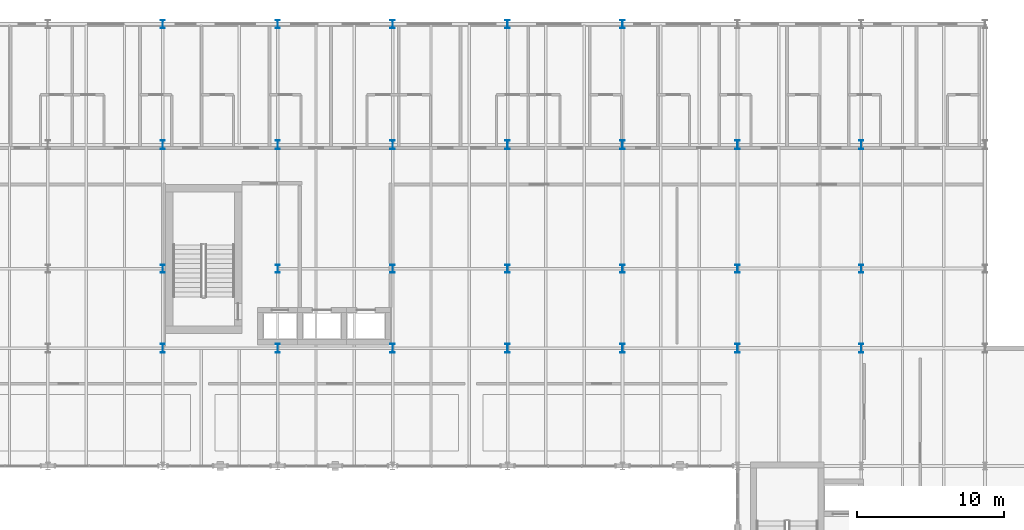
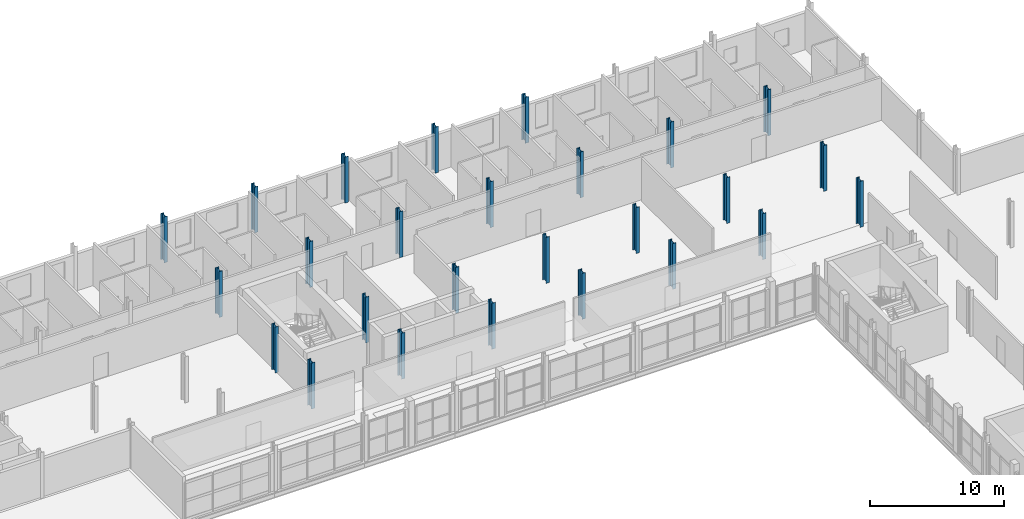
# One storey, part 8 of 58: 26 columns.
"""IFC4 building model written with IfcOpenShell, lengths in metres."""

from ifc_helpers import new_model, si_unit, direction, frame, origin, origin_2d, place, context, subcontext, project, spatial, i_section, extrude, material, material_profile, profile_set, type_object, element, save


model = new_model("IFC4")

# Units and contexts
model_context = context("Model", 3, precision=1e-05, world=origin(), true_north=direction((0.0, 1.0)))
body_context = subcontext(model_context, "Body", "Model", "MODEL_VIEW")
ifc_project = project(units=[si_unit("LENGTHUNIT", "METRE"), si_unit("AREAUNIT", "SQUARE_METRE"), si_unit("VOLUMEUNIT", "CUBIC_METRE"), si_unit("PLANEANGLEUNIT", "RADIAN"), si_unit("MASSUNIT", "GRAM", prefix="KILO")], contexts=[model_context])

# Site, building, storey
site_placement = place(None, origin())
site = spatial("IfcSite", under=ifc_project, at=site_placement, CompositionType="ELEMENT")
building_placement = place(site_placement, origin())
building = spatial("IfcBuilding", under=site, at=building_placement, Name="Sefraquen Railside Congress Hotel", CompositionType="ELEMENT")
storey_placement = place(building_placement, frame((0.0, 0.0, 16.199951171875)))
storey = spatial("IfcBuildingStorey", under=building, at=storey_placement, Name="L03", CompositionType="ELEMENT", Elevation=16.199951171875)

# Columns
ifc_material = material(Name="Steel S355JR", Category="steel")
ifc_material_profile_1 = material_profile(ifc_material, i_section(OverallWidth=0.300048828125, OverallDepth=0.550048828125, WebThickness=0.014892578125, FlangeThickness=0.029052734375, FilletRadius=0.027099609375, at=origin_2d()), Name="HEB 550")
ifc_profile_set_1 = profile_set([ifc_material_profile_1], Name="Steel S355JR")
column_type_1 = type_object("IfcColumnType", Name="TC-HEB-550", PredefinedType="COLUMN", material=ifc_profile_set_1)
for number, where, z_axis, x_axis, name in (
    (1, (64.199951171875, 101.39990234375, 0.0), (0.0, 0.0, 1.0), (1.0, 0.0, 0.0), "Structural column 9-N L03"),
    (2, (64.199951171875, 118.0, 0.0), (0.0, 0.0, 1.0), (1.0, 0.0, 0.0), "Structural column 9-Q L03"),
    (3, (72.0, 101.39990234375, 0.0), (0.0, 0.0, 1.0), (1.0, 0.0, 0.0), "Structural column 10-N L03"),
    (4, (72.0, 118.0, 0.0), (0.0, 0.0, 1.0), (1.0, 0.0, 0.0), "Structural column 10-Q L03"),
    (5, (79.800048828125, 101.39990234375, 0.0), (0.0, 0.0, 1.0), (1.0, 0.0, 0.0), "Structural column 11-N L03"),
    (6, (79.800048828125, 118.0, 0.0), (0.0, 0.0, 1.0), (1.0, 0.0, 0.0), "Structural column 11-Q L03"),
    (7, (87.60009765625, 101.39990234375, 0.0), (0.0, 0.0, 1.0), (1.0, 0.0, 0.0), "Structural column 12-N L03"),
    (8, (87.60009765625, 118.0, 0.0), (0.0, 0.0, 1.0), (1.0, 0.0, 0.0), "Structural column 12-Q L03"),
    (9, (95.39990234375, 101.39990234375, 0.0), (0.0, 0.0, 1.0), (1.0, 0.0, 0.0), "Structural column 13-N L03"),
    (10, (95.39990234375, 118.0, 0.0), (0.0, 0.0, 1.0), (1.0, 0.0, 0.0), "Structural column 13-Q L03"),
    (11, (103.199951171875, 101.39990234375, 0.0), (0.0, 0.0, 1.0), (1.0, 0.0, 0.0), "Structural column 14-N L03"),
    (12, (111.60009765625, 101.39990234375, 0.0), (0.0, 0.0, 1.0), (1.0, 0.0, 0.0), "Structural column 15-N L03"),
):
    element("IfcColumn", number, at=place(storey_placement, frame(where, z_axis=z_axis, x_axis=x_axis)), inside=storey, type_object=column_type_1, Name=name, PredefinedType="COLUMN", context=body_context, shape_type="SweptSolid", body=[
        extrude(i_section(OverallWidth=0.300048828125, OverallDepth=0.550048828125, WebThickness=0.014892578125, FlangeThickness=0.029052734375, FilletRadius=0.027099609375, at=origin_2d()), origin(), (0.0, 0.0, 1.0), 4.199951171875),
    ])
ifc_material_profile_2 = material_profile(ifc_material, i_section(OverallWidth=0.300048828125, OverallDepth=0.60009765625, WebThickness=0.015380859375, FlangeThickness=0.030029296875, FilletRadius=0.027099609375, at=origin_2d()), Name="HEB 600")
ifc_profile_set_2 = profile_set([ifc_material_profile_2], Name="Steel S355JR")
column_type_2 = type_object("IfcColumnType", Name="TC-HEB-600", PredefinedType="COLUMN", material=ifc_profile_set_2)
for number, where, z_axis, x_axis, name in (
    (13, (64.199951171875, 96.0, 0.0), (0.0, 0.0, 1.0), (1.0, 0.0, 0.0), "Structural column 9-M L03"),
    (14, (64.199951171875, 109.800048828125, 0.0), (0.0, 0.0, 1.0), (1.0, 0.0, 0.0), "Structural column 9-P L03"),
    (15, (72.0, 96.0, 0.0), (0.0, 0.0, 1.0), (1.0, 0.0, 0.0), "Structural column 10-M L03"),
    (16, (72.0, 109.800048828125, 0.0), (0.0, 0.0, 1.0), (1.0, 0.0, 0.0), "Structural column 10-P L03"),
    (17, (79.800048828125, 96.0, 0.0), (0.0, 0.0, 1.0), (1.0, 0.0, 0.0), "Structural column 11-M L03"),
    (18, (79.800048828125, 109.800048828125, 0.0), (0.0, 0.0, 1.0), (1.0, 0.0, 0.0), "Structural column 11-P L03"),
    (19, (87.60009765625, 96.0, 0.0), (0.0, 0.0, 1.0), (1.0, 0.0, 0.0), "Structural column 12-M L03"),
    (20, (87.60009765625, 109.800048828125, 0.0), (0.0, 0.0, 1.0), (1.0, 0.0, 0.0), "Structural column 12-P L03"),
    (21, (95.39990234375, 96.0, 0.0), (0.0, 0.0, 1.0), (1.0, 0.0, 0.0), "Structural column 13-M L03"),
    (22, (95.39990234375, 109.800048828125, 0.0), (0.0, 0.0, 1.0), (1.0, 0.0, 0.0), "Structural column 13-P L03"),
    (23, (103.199951171875, 96.0, 0.0), (0.0, 0.0, 1.0), (1.0, 0.0, 0.0), "Structural column 14-M L03"),
    (24, (103.199951171875, 109.800048828125, 0.0), (0.0, 0.0, 1.0), (1.0, 0.0, 0.0), "Structural column 14-P L03"),
    (25, (111.60009765625, 96.0, 0.0), (0.0, 0.0, 1.0), (1.0, 0.0, 0.0), "Structural column 15-M L03"),
    (26, (111.60009765625, 109.800048828125, 0.0), (0.0, 0.0, 1.0), (1.0, 0.0, 0.0), "Structural column 15-P L03"),
):
    element("IfcColumn", number, at=place(storey_placement, frame(where, z_axis=z_axis, x_axis=x_axis)), inside=storey, type_object=column_type_2, Name=name, PredefinedType="COLUMN", context=body_context, shape_type="SweptSolid", body=[
        extrude(i_section(OverallWidth=0.300048828125, OverallDepth=0.60009765625, WebThickness=0.015380859375, FlangeThickness=0.030029296875, FilletRadius=0.027099609375, at=origin_2d()), origin(), (0.0, 0.0, 1.0), 4.199951171875),
    ])

save(model, "model.ifc")
